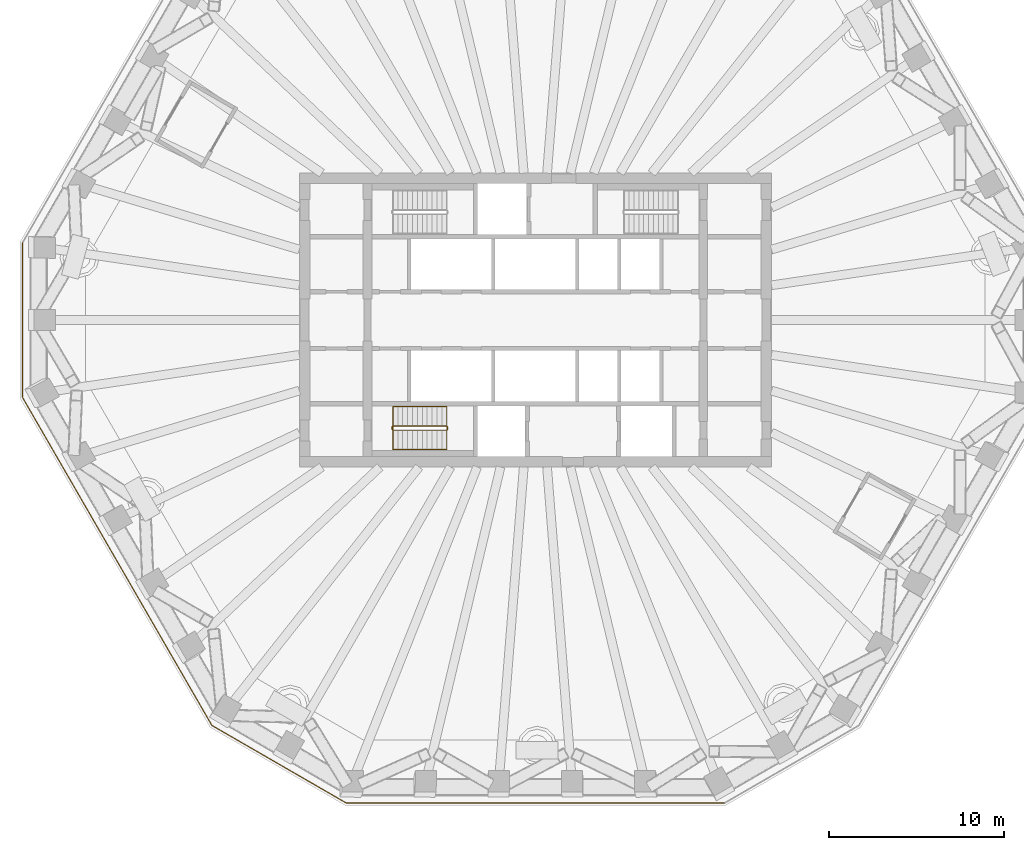
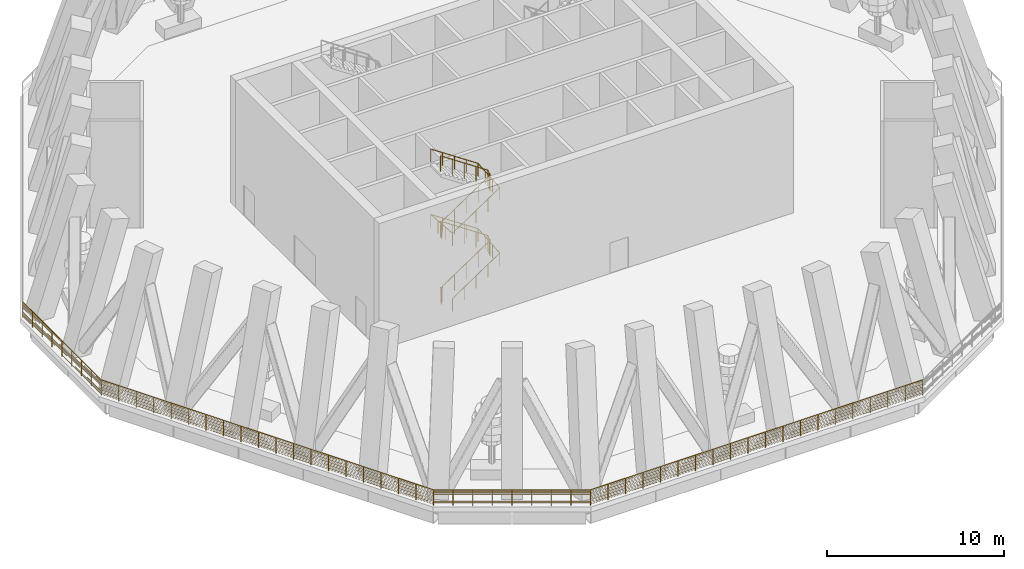
# One storey, part 7 of 11: 6 railings.
"""IFC4 building model written with IfcOpenShell, lengths in metres."""

from ifc_helpers import new_model, si_unit, direction, frame, origin, origin_2d, place, context, subcontext, project, spatial, circle, extrude, material, type_object, element, save


model = new_model("IFC4")

# Units and contexts
model_context = context("Model", 3, precision=1e-05, world=origin(), true_north=direction((0.0, 1.0)))
body_context = subcontext(model_context, "Body", "Model", "MODEL_VIEW")
ifc_project = project(units=[si_unit("LENGTHUNIT", "METRE"), si_unit("AREAUNIT", "SQUARE_METRE"), si_unit("VOLUMEUNIT", "CUBIC_METRE"), si_unit("PLANEANGLEUNIT", "RADIAN"), si_unit("MASSUNIT", "GRAM", prefix="KILO")], contexts=[model_context])

# Site, building, storey
site_placement = place(None, origin())
site = spatial("IfcSite", under=ifc_project, at=site_placement, CompositionType="ELEMENT")
building_placement = place(site_placement, origin())
building = spatial("IfcBuilding", under=site, at=building_placement, Name="Frailejon Research Tower", CompositionType="ELEMENT")
storey_placement = place(building_placement, frame((0.0, 0.0, 202.39990234375)))
storey = spatial("IfcBuildingStorey", under=building, at=storey_placement, Name="L44", CompositionType="ELEMENT", Elevation=202.39990234375)

# Railings
ifc_material_1 = material(Name="Stainless steel", Category="steel")
railing_type_1 = type_object("IfcRailingType", Name="Stair guard 1100", PredefinedType="GUARDRAIL", material=ifc_material_1)
railing_1_placement = place(storey_placement, frame((-8.199951171875, -6.10009765625, 0.0)))
element("IfcRailing", 1, at=railing_1_placement, inside=storey, type_object=railing_type_1, Name="L44 ST2 stair guard 1", PredefinedType="GUARDRAIL", context=body_context, shape_type="SweptSolid", body=[
    extrude(circle(Radius=0.02392578125, at=origin_2d()), frame((0.0, 0.0, 1.076171875), z_axis=(0.0, -1.0, 0.0), x_axis=(1.0, 0.0, 0.0)), (0.0, 0.0, 1.0), 0.14990234375),
    extrude(circle(Radius=0.02392578125, at=origin_2d()), frame((0.0, -0.14990234375, 1.076171875), z_axis=(0.249726431254, -0.249726431254, 0.935560483917), x_axis=(0.707106781187, 0.707106781187, 0.0)), (0.0, 0.0, 1.0), 0.200439453125),
    extrude(circle(Radius=0.02392578125, at=origin_2d()), frame((0.050048828125, -0.199951171875, 1.263671875), z_axis=(0.830893310487, 0.0, 0.556431762742), x_axis=(0.0, 1.0, 0.0)), (0.0, 0.0, 1.0), 3.70654296875),
    extrude(circle(Radius=0.02392578125, at=origin_2d()), frame((3.1298828125, -0.199951171875, 3.326171875), z_axis=(0.707106781187, 0.707106781187, 0.0), x_axis=(-0.707106781187, 0.707106781187, 0.0)), (0.0, 0.0, 1.0), 0.07080078125),
    extrude(circle(Radius=0.02392578125, at=origin_2d()), frame((3.179931640625, -0.14990234375, 3.326171875), z_axis=(0.0, 1.0, 0.0), x_axis=(-1.0, 0.0, 0.0)), (0.0, 0.0, 1.0), 0.14990234375),
    extrude(circle(Radius=0.02392578125, at=origin_2d()), frame((3.179931640625, 0.0, 3.326171875), z_axis=(-0.249726431254, 0.249726431254, 0.935560483917), x_axis=(-0.707106781187, -0.707106781187, 0.0)), (0.0, 0.0, 1.0), 0.200439453125),
    extrude(circle(Radius=0.02392578125, at=origin_2d()), frame((3.1298828125, 0.050048828125, 3.513671875), z_axis=(-0.830893310487, 0.0, 0.556431762742), x_axis=(0.0, -1.0, 0.0)), (0.0, 0.0, 1.0), 3.70654296875),
    extrude(circle(Radius=0.02392578125, at=origin_2d()), frame((0.050048828125, 0.050048828125, 5.576171875), z_axis=(-0.707106781187, -0.707106781187, 0.0), x_axis=(0.707106781187, -0.707106781187, 0.0)), (0.0, 0.0, 1.0), 0.07080078125),
    extrude(circle(Radius=0.02392578125, at=origin_2d()), frame((0.0, 0.0, 5.576171875), z_axis=(0.0, -1.0, 0.0), x_axis=(1.0, 0.0, 0.0)), (0.0, 0.0, 1.0), 0.14990234375),
    extrude(circle(Radius=0.02392578125, at=origin_2d()), frame((0.0, -0.14990234375, 5.576171875), z_axis=(0.249726431254, -0.249726431254, 0.935560483917), x_axis=(0.707106781187, 0.707106781187, 0.0)), (0.0, 0.0, 1.0), 0.200439453125),
    extrude(circle(Radius=0.02392578125, at=origin_2d()), frame((0.050048828125, -0.199951171875, 5.763671875), z_axis=(0.830893310487, 0.0, 0.556431762742), x_axis=(0.0, 1.0, 0.0)), (0.0, 0.0, 1.0), 3.70654296875),
    extrude(circle(Radius=0.02392578125, at=origin_2d()), frame((3.1298828125, -0.199951171875, 7.826171875), z_axis=(0.707106781187, 0.707106781187, 0.0), x_axis=(-0.707106781187, 0.707106781187, 0.0)), (0.0, 0.0, 1.0), 0.07080078125),
    extrude(circle(Radius=0.02392578125, at=origin_2d()), frame((3.179931640625, -0.14990234375, 7.826171875), z_axis=(0.0, 1.0, 0.0), x_axis=(-1.0, 0.0, 0.0)), (0.0, 0.0, 1.0), 0.14990234375),
    extrude(circle(Radius=0.02392578125, at=origin_2d()), frame((3.179931640625, 0.0, 7.826171875), z_axis=(-0.249726431254, 0.249726431254, 0.935560483917), x_axis=(-0.707106781187, -0.707106781187, 0.0)), (0.0, 0.0, 1.0), 0.200439453125),
    extrude(circle(Radius=0.02392578125, at=origin_2d()), frame((3.1298828125, 0.050048828125, 8.013671875), z_axis=(-0.830893310487, 0.0, 0.556431762742), x_axis=(0.0, -1.0, 0.0)), (0.0, 0.0, 1.0), 3.70654296875),
    extrude(circle(Radius=0.02099609375, at=origin_2d()), origin(), (0.0, 0.0, 1.0), 1.052001953125),
    extrude(circle(Radius=0.02099609375, at=origin_2d()), frame((0.0, -0.14990234375, 0.0)), (0.0, 0.0, 1.0), 1.052001953125),
    extrude(circle(Radius=0.02099609375, at=origin_2d()), frame((0.050048828125, -0.199951171875, 0.1875)), (0.0, 0.0, 1.0), 1.052001953125),
    extrude(circle(Radius=0.02099609375, at=origin_2d()), frame((0.820068359375, -0.199951171875, 0.703125)), (0.0, 0.0, 1.0), 1.052001953125),
    extrude(circle(Radius=0.02099609375, at=origin_2d()), frame((1.58984375, -0.199951171875, 1.21875)), (0.0, 0.0, 1.0), 1.052001953125),
    extrude(circle(Radius=0.02099609375, at=origin_2d()), frame((2.35986328125, -0.199951171875, 1.734375)), (0.0, 0.0, 1.0), 1.052001953125),
    extrude(circle(Radius=0.02099609375, at=origin_2d()), frame((3.1298828125, -0.199951171875, 2.25)), (0.0, 0.0, 1.0), 1.052001953125),
    extrude(circle(Radius=0.02099609375, at=origin_2d()), frame((3.179931640625, -0.14990234375, 2.25)), (0.0, 0.0, 1.0), 1.052001953125),
    extrude(circle(Radius=0.02099609375, at=origin_2d()), frame((3.179931640625, 0.0, 2.25)), (0.0, 0.0, 1.0), 1.052001953125),
    extrude(circle(Radius=0.02099609375, at=origin_2d()), frame((3.1298828125, 0.050048828125, 2.4375)), (0.0, 0.0, 1.0), 1.052001953125),
    extrude(circle(Radius=0.02099609375, at=origin_2d()), frame((2.35986328125, 0.050048828125, 2.953125)), (0.0, 0.0, 1.0), 1.052001953125),
    extrude(circle(Radius=0.02099609375, at=origin_2d()), frame((1.58984375, 0.050048828125, 3.46875)), (0.0, 0.0, 1.0), 1.052001953125),
    extrude(circle(Radius=0.02099609375, at=origin_2d()), frame((0.820068359375, 0.050048828125, 3.984375)), (0.0, 0.0, 1.0), 1.052001953125),
    extrude(circle(Radius=0.02099609375, at=origin_2d()), frame((0.050048828125, 0.050048828125, 4.5)), (0.0, 0.0, 1.0), 1.052001953125),
    extrude(circle(Radius=0.02099609375, at=origin_2d()), frame((0.0, 0.0, 4.5)), (0.0, 0.0, 1.0), 1.052001953125),
    extrude(circle(Radius=0.02099609375, at=origin_2d()), frame((0.0, -0.14990234375, 4.5)), (0.0, 0.0, 1.0), 1.052001953125),
    extrude(circle(Radius=0.02099609375, at=origin_2d()), frame((0.050048828125, -0.199951171875, 4.6875)), (0.0, 0.0, 1.0), 1.052001953125),
    extrude(circle(Radius=0.02099609375, at=origin_2d()), frame((0.820068359375, -0.199951171875, 5.203125)), (0.0, 0.0, 1.0), 1.052001953125),
    extrude(circle(Radius=0.02099609375, at=origin_2d()), frame((1.58984375, -0.199951171875, 5.71875)), (0.0, 0.0, 1.0), 1.052001953125),
    extrude(circle(Radius=0.02099609375, at=origin_2d()), frame((2.35986328125, -0.199951171875, 6.234375)), (0.0, 0.0, 1.0), 1.052001953125),
    extrude(circle(Radius=0.02099609375, at=origin_2d()), frame((3.1298828125, -0.199951171875, 6.75)), (0.0, 0.0, 1.0), 1.052001953125),
    extrude(circle(Radius=0.02099609375, at=origin_2d()), frame((3.179931640625, -0.14990234375, 6.75)), (0.0, 0.0, 1.0), 1.052001953125),
    extrude(circle(Radius=0.02099609375, at=origin_2d()), frame((3.179931640625, 0.0, 6.75)), (0.0, 0.0, 1.0), 1.052001953125),
    extrude(circle(Radius=0.02099609375, at=origin_2d()), frame((3.1298828125, 0.050048828125, 6.9375)), (0.0, 0.0, 1.0), 1.052001953125),
    extrude(circle(Radius=0.02099609375, at=origin_2d()), frame((2.35986328125, 0.050048828125, 7.453125)), (0.0, 0.0, 1.0), 1.052001953125),
    extrude(circle(Radius=0.02099609375, at=origin_2d()), frame((1.58984375, 0.050048828125, 7.96875)), (0.0, 0.0, 1.0), 1.052001953125),
    extrude(circle(Radius=0.02099609375, at=origin_2d()), frame((0.820068359375, 0.050048828125, 8.484375)), (0.0, 0.0, 1.0), 1.052001953125),
    extrude(circle(Radius=0.02099609375, at=origin_2d()), frame((0.050048828125, 0.050048828125, 9.0)), (0.0, 0.0, 1.0), 1.052001953125),
])
ifc_material_2 = material(Name="Stainless steel", Category="steel")
railing_type_2 = type_object("IfcRailingType", Name="Stair handrail 900", PredefinedType="HANDRAIL", material=ifc_material_2)
railing_2_placement = place(storey_placement, frame((-8.14990234375, -7.39990234375, 0.1875)))
element("IfcRailing", 2, at=railing_2_placement, inside=storey, type_object=railing_type_2, Name="L44 ST2 stair handrail 1", PredefinedType="HANDRAIL", context=body_context, shape_type="SweptSolid", body=[
    extrude(circle(Radius=0.02392578125, at=origin_2d()), frame((0.0, 0.0, 0.8759765625), z_axis=(0.830893310487, 0.0, 0.556431762742), x_axis=(0.0, 1.0, 0.0)), (0.0, 0.0, 1.0), 3.70654296875),
    extrude(circle(Radius=0.02392578125, at=origin_2d()), frame((3.079833984375, 0.0, 2.9384765625), z_axis=(0.0, 0.997084218397, 0.07630898652), x_axis=(-1.0, 0.0, 0.0)), (0.0, 0.0, 1.0), 2.45703125),
    extrude(circle(Radius=0.02392578125, at=origin_2d()), frame((3.079833984375, 2.449951171875, 3.1259765625), z_axis=(-0.830893310487, 0.0, 0.556431762742), x_axis=(0.0, -1.0, 0.0)), (0.0, 0.0, 1.0), 3.70654296875),
    extrude(circle(Radius=0.02392578125, at=origin_2d()), frame((0.0, 2.449951171875, 5.1884765625), z_axis=(0.0, -0.997084218397, 0.07630898652), x_axis=(1.0, 0.0, 0.0)), (0.0, 0.0, 1.0), 2.45703125),
    extrude(circle(Radius=0.02392578125, at=origin_2d()), frame((0.0, 0.0, 5.3759765625), z_axis=(0.830893310487, 0.0, 0.556431762742), x_axis=(0.0, 1.0, 0.0)), (0.0, 0.0, 1.0), 3.70654296875),
    extrude(circle(Radius=0.02392578125, at=origin_2d()), frame((3.079833984375, 0.0, 7.4384765625), z_axis=(0.0, 0.997084218397, 0.07630898652), x_axis=(-1.0, 0.0, 0.0)), (0.0, 0.0, 1.0), 2.45703125),
    extrude(circle(Radius=0.02392578125, at=origin_2d()), frame((3.079833984375, 2.449951171875, 7.6259765625), z_axis=(-0.830893310487, 0.0, 0.556431762742), x_axis=(0.0, -1.0, 0.0)), (0.0, 0.0, 1.0), 3.70654296875),
    extrude(circle(Radius=0.02099609375, at=origin_2d()), origin(), (0.0, 0.0, 1.0), 0.851806640625),
    extrude(circle(Radius=0.02099609375, at=origin_2d()), frame((0.77001953125, 0.0, 0.515625)), (0.0, 0.0, 1.0), 0.851806640625),
    extrude(circle(Radius=0.02099609375, at=origin_2d()), frame((1.5400390625, 0.0, 1.03125)), (0.0, 0.0, 1.0), 0.851806640625),
    extrude(circle(Radius=0.02099609375, at=origin_2d()), frame((2.309814453125, 0.0, 1.546875)), (0.0, 0.0, 1.0), 0.851806640625),
    extrude(circle(Radius=0.02099609375, at=origin_2d()), frame((3.079833984375, 0.0, 2.0625)), (0.0, 0.0, 1.0), 0.851806640625),
    extrude(circle(Radius=0.02099609375, at=origin_2d()), frame((3.079833984375, 0.816650390625, 2.125)), (0.0, 0.0, 1.0), 0.851806640625),
    extrude(circle(Radius=0.02099609375, at=origin_2d()), frame((3.079833984375, 1.63330078125, 2.1875)), (0.0, 0.0, 1.0), 0.851806640625),
    extrude(circle(Radius=0.02099609375, at=origin_2d()), frame((3.079833984375, 2.449951171875, 2.25)), (0.0, 0.0, 1.0), 0.851806640625),
    extrude(circle(Radius=0.02099609375, at=origin_2d()), frame((2.309814453125, 2.449951171875, 2.765625)), (0.0, 0.0, 1.0), 0.851806640625),
    extrude(circle(Radius=0.02099609375, at=origin_2d()), frame((1.5400390625, 2.449951171875, 3.28125)), (0.0, 0.0, 1.0), 0.851806640625),
    extrude(circle(Radius=0.02099609375, at=origin_2d()), frame((0.77001953125, 2.449951171875, 3.796875)), (0.0, 0.0, 1.0), 0.851806640625),
    extrude(circle(Radius=0.02099609375, at=origin_2d()), frame((0.0, 2.449951171875, 4.3125)), (0.0, 0.0, 1.0), 0.851806640625),
    extrude(circle(Radius=0.02099609375, at=origin_2d()), frame((0.0, 1.63330078125, 4.375)), (0.0, 0.0, 1.0), 0.851806640625),
    extrude(circle(Radius=0.02099609375, at=origin_2d()), frame((0.0, 0.816650390625, 4.4375)), (0.0, 0.0, 1.0), 0.851806640625),
    extrude(circle(Radius=0.02099609375, at=origin_2d()), frame((0.0, 0.0, 4.5)), (0.0, 0.0, 1.0), 0.851806640625),
    extrude(circle(Radius=0.02099609375, at=origin_2d()), frame((0.77001953125, 0.0, 5.015625)), (0.0, 0.0, 1.0), 0.851806640625),
    extrude(circle(Radius=0.02099609375, at=origin_2d()), frame((1.5400390625, 0.0, 5.53125)), (0.0, 0.0, 1.0), 0.851806640625),
    extrude(circle(Radius=0.02099609375, at=origin_2d()), frame((2.309814453125, 0.0, 6.046875)), (0.0, 0.0, 1.0), 0.851806640625),
    extrude(circle(Radius=0.02099609375, at=origin_2d()), frame((3.079833984375, 0.0, 6.5625)), (0.0, 0.0, 1.0), 0.851806640625),
    extrude(circle(Radius=0.02099609375, at=origin_2d()), frame((3.079833984375, 0.816650390625, 6.625)), (0.0, 0.0, 1.0), 0.851806640625),
    extrude(circle(Radius=0.02099609375, at=origin_2d()), frame((3.079833984375, 1.63330078125, 6.6875)), (0.0, 0.0, 1.0), 0.851806640625),
    extrude(circle(Radius=0.02099609375, at=origin_2d()), frame((3.079833984375, 2.449951171875, 6.75)), (0.0, 0.0, 1.0), 0.851806640625),
    extrude(circle(Radius=0.02099609375, at=origin_2d()), frame((2.309814453125, 2.449951171875, 7.265625)), (0.0, 0.0, 1.0), 0.851806640625),
    extrude(circle(Radius=0.02099609375, at=origin_2d()), frame((1.5400390625, 2.449951171875, 7.78125)), (0.0, 0.0, 1.0), 0.851806640625),
    extrude(circle(Radius=0.02099609375, at=origin_2d()), frame((0.77001953125, 2.449951171875, 8.296875)), (0.0, 0.0, 1.0), 0.851806640625),
    extrude(circle(Radius=0.02099609375, at=origin_2d()), frame((0.0, 2.449951171875, 8.8125)), (0.0, 0.0, 1.0), 0.851806640625),
])
ifc_material_3 = material(Name="Stainless steel posts, rail and cable infill", Category="steel")
railing_type_3 = type_object("IfcRailingType", Name="Terrace rail guard 1100", PredefinedType="GUARDRAIL", material=ifc_material_3)
railing_3_placement = place(storey_placement, frame((-29.321533203125, 4.430908203125, 0.0)))
element("IfcRailing", 3, at=railing_3_placement, inside=storey, type_object=railing_type_3, Name="Wind floor terrace guard L44 7", PredefinedType="GUARDRAIL", context=body_context, shape_type="SweptSolid", body=[
    extrude(circle(Radius=0.02392578125, at=origin_2d()), frame((0.0, 0.0, 1.080078125), z_axis=(0.0, -1.0, 0.0), x_axis=(1.0, 0.0, 0.0)), (0.0, 0.0, 1.0), 8.86181640625),
    extrude(circle(Radius=0.005859375, at=origin_2d()), frame((0.0, 0.0, 0.097900390625), z_axis=(0.0, -1.0, 0.0), x_axis=(1.0, 0.0, 0.0)), (0.0, 0.0, 1.0), 8.86181640625),
    extrude(circle(Radius=0.005859375, at=origin_2d()), frame((0.0, 0.0, 0.195556640625), z_axis=(0.0, -1.0, 0.0), x_axis=(1.0, 0.0, 0.0)), (0.0, 0.0, 1.0), 8.86181640625),
    extrude(circle(Radius=0.005859375, at=origin_2d()), frame((0.0, 0.0, 0.29345703125), z_axis=(0.0, -1.0, 0.0), x_axis=(1.0, 0.0, 0.0)), (0.0, 0.0, 1.0), 8.86181640625),
    extrude(circle(Radius=0.005859375, at=origin_2d()), frame((0.0, 0.0, 0.391357421875), z_axis=(0.0, -1.0, 0.0), x_axis=(1.0, 0.0, 0.0)), (0.0, 0.0, 1.0), 8.86181640625),
    extrude(circle(Radius=0.005859375, at=origin_2d()), frame((0.0, 0.0, 0.489013671875), z_axis=(0.0, -1.0, 0.0), x_axis=(1.0, 0.0, 0.0)), (0.0, 0.0, 1.0), 8.86181640625),
    extrude(circle(Radius=0.005859375, at=origin_2d()), frame((0.0, 0.0, 0.5869140625), z_axis=(0.0, -1.0, 0.0), x_axis=(1.0, 0.0, 0.0)), (0.0, 0.0, 1.0), 8.86181640625),
    extrude(circle(Radius=0.005859375, at=origin_2d()), frame((0.0, 0.0, 0.684814453125), z_axis=(0.0, -1.0, 0.0), x_axis=(1.0, 0.0, 0.0)), (0.0, 0.0, 1.0), 8.86181640625),
    extrude(circle(Radius=0.005859375, at=origin_2d()), frame((0.0, 0.0, 0.782470703125), z_axis=(0.0, -1.0, 0.0), x_axis=(1.0, 0.0, 0.0)), (0.0, 0.0, 1.0), 8.86181640625),
    extrude(circle(Radius=0.005859375, at=origin_2d()), frame((0.0, 0.0, 0.88037109375), z_axis=(0.0, -1.0, 0.0), x_axis=(1.0, 0.0, 0.0)), (0.0, 0.0, 1.0), 8.86181640625),
    extrude(circle(Radius=0.005859375, at=origin_2d()), frame((0.0, 0.0, 0.978271484375), z_axis=(0.0, -1.0, 0.0), x_axis=(1.0, 0.0, 0.0)), (0.0, 0.0, 1.0), 8.86181640625),
    extrude(circle(Radius=0.02099609375, at=origin_2d()), origin(), (0.0, 0.0, 1.0), 1.052001953125),
    extrude(circle(Radius=0.02099609375, at=origin_2d()), frame((0.0, -1.107666015625, 0.0)), (0.0, 0.0, 1.0), 1.052001953125),
    extrude(circle(Radius=0.02099609375, at=origin_2d()), frame((0.0, -2.21533203125, 0.0)), (0.0, 0.0, 1.0), 1.052001953125),
    extrude(circle(Radius=0.02099609375, at=origin_2d()), frame((0.0, -3.3232421875, 0.0)), (0.0, 0.0, 1.0), 1.052001953125),
    extrude(circle(Radius=0.02099609375, at=origin_2d()), frame((0.0, -4.430908203125, 0.0)), (0.0, 0.0, 1.0), 1.052001953125),
    extrude(circle(Radius=0.02099609375, at=origin_2d()), frame((0.0, -5.53857421875, 0.0)), (0.0, 0.0, 1.0), 1.052001953125),
    extrude(circle(Radius=0.02099609375, at=origin_2d()), frame((0.0, -6.646484375, 0.0)), (0.0, 0.0, 1.0), 1.052001953125),
    extrude(circle(Radius=0.02099609375, at=origin_2d()), frame((0.0, -7.754150390625, 0.0)), (0.0, 0.0, 1.0), 1.052001953125),
    extrude(circle(Radius=0.02099609375, at=origin_2d()), frame((0.0, -8.86181640625, 0.0)), (0.0, 0.0, 1.0), 1.052001953125),
])
railing_4_placement = place(storey_placement, frame((-29.321533203125, -4.430908203125, 0.0)))
element("IfcRailing", 4, at=railing_4_placement, inside=storey, type_object=railing_type_3, Name="Wind floor terrace guard L44 8", PredefinedType="GUARDRAIL", context=body_context, shape_type="SweptSolid", body=[
    extrude(circle(Radius=0.02392578125, at=origin_2d()), frame((0.0, 0.0, 1.080078125), z_axis=(0.500004924955, -0.866022560341, 0.0), x_axis=(0.866022560341, 0.500004924955, 0.0)), (0.0, 0.0, 1.0), 21.646728515625),
    extrude(circle(Radius=0.005859375, at=origin_2d()), frame((0.0, 0.0, 0.097900390625), z_axis=(0.500004924955, -0.866022560341, 0.0), x_axis=(0.866022560341, 0.500004924955, 0.0)), (0.0, 0.0, 1.0), 21.646728515625),
    extrude(circle(Radius=0.005859375, at=origin_2d()), frame((0.0, 0.0, 0.195556640625), z_axis=(0.500004924955, -0.866022560341, 0.0), x_axis=(0.866022560341, 0.500004924955, 0.0)), (0.0, 0.0, 1.0), 21.646728515625),
    extrude(circle(Radius=0.005859375, at=origin_2d()), frame((0.0, 0.0, 0.29345703125), z_axis=(0.500004924955, -0.866022560341, 0.0), x_axis=(0.866022560341, 0.500004924955, 0.0)), (0.0, 0.0, 1.0), 21.646728515625),
    extrude(circle(Radius=0.005859375, at=origin_2d()), frame((0.0, 0.0, 0.391357421875), z_axis=(0.500004924955, -0.866022560341, 0.0), x_axis=(0.866022560341, 0.500004924955, 0.0)), (0.0, 0.0, 1.0), 21.646728515625),
    extrude(circle(Radius=0.005859375, at=origin_2d()), frame((0.0, 0.0, 0.489013671875), z_axis=(0.500004924955, -0.866022560341, 0.0), x_axis=(0.866022560341, 0.500004924955, 0.0)), (0.0, 0.0, 1.0), 21.646728515625),
    extrude(circle(Radius=0.005859375, at=origin_2d()), frame((0.0, 0.0, 0.5869140625), z_axis=(0.500004924955, -0.866022560341, 0.0), x_axis=(0.866022560341, 0.500004924955, 0.0)), (0.0, 0.0, 1.0), 21.646728515625),
    extrude(circle(Radius=0.005859375, at=origin_2d()), frame((0.0, 0.0, 0.684814453125), z_axis=(0.500004924955, -0.866022560341, 0.0), x_axis=(0.866022560341, 0.500004924955, 0.0)), (0.0, 0.0, 1.0), 21.646728515625),
    extrude(circle(Radius=0.005859375, at=origin_2d()), frame((0.0, 0.0, 0.782470703125), z_axis=(0.500004924955, -0.866022560341, 0.0), x_axis=(0.866022560341, 0.500004924955, 0.0)), (0.0, 0.0, 1.0), 21.646728515625),
    extrude(circle(Radius=0.005859375, at=origin_2d()), frame((0.0, 0.0, 0.88037109375), z_axis=(0.500004924955, -0.866022560341, 0.0), x_axis=(0.866022560341, 0.500004924955, 0.0)), (0.0, 0.0, 1.0), 21.646728515625),
    extrude(circle(Radius=0.005859375, at=origin_2d()), frame((0.0, 0.0, 0.978271484375), z_axis=(0.500004924955, -0.866022560341, 0.0), x_axis=(0.866022560341, 0.500004924955, 0.0)), (0.0, 0.0, 1.0), 21.646728515625),
    extrude(circle(Radius=0.02099609375, at=origin_2d()), origin(), (0.0, 0.0, 1.0), 1.052001953125),
    extrude(circle(Radius=0.02099609375, at=origin_2d()), frame((0.569580078125, -0.986572265625, 0.0)), (0.0, 0.0, 1.0), 1.052001953125),
    extrude(circle(Radius=0.02099609375, at=origin_2d()), frame((1.139404296875, -1.973388671875, 0.0)), (0.0, 0.0, 1.0), 1.052001953125),
    extrude(circle(Radius=0.02099609375, at=origin_2d()), frame((1.708984375, -2.9599609375, 0.0)), (0.0, 0.0, 1.0), 1.052001953125),
    extrude(circle(Radius=0.02099609375, at=origin_2d()), frame((2.278564453125, -3.946533203125, 0.0)), (0.0, 0.0, 1.0), 1.052001953125),
    extrude(circle(Radius=0.02099609375, at=origin_2d()), frame((2.848388671875, -4.933349609375, 0.0)), (0.0, 0.0, 1.0), 1.052001953125),
    extrude(circle(Radius=0.02099609375, at=origin_2d()), frame((3.41796875, -5.919921875, 0.0)), (0.0, 0.0, 1.0), 1.052001953125),
    extrude(circle(Radius=0.02099609375, at=origin_2d()), frame((3.987548828125, -6.90673828125, 0.0)), (0.0, 0.0, 1.0), 1.052001953125),
    extrude(circle(Radius=0.02099609375, at=origin_2d()), frame((4.557373046875, -7.893310546875, 0.0)), (0.0, 0.0, 1.0), 1.052001953125),
    extrude(circle(Radius=0.02099609375, at=origin_2d()), frame((5.126953125, -8.8798828125, 0.0)), (0.0, 0.0, 1.0), 1.052001953125),
    extrude(circle(Radius=0.02099609375, at=origin_2d()), frame((5.696533203125, -9.86669921875, 0.0)), (0.0, 0.0, 1.0), 1.052001953125),
    extrude(circle(Radius=0.02099609375, at=origin_2d()), frame((6.26611328125, -10.853271484375, 0.0)), (0.0, 0.0, 1.0), 1.052001953125),
    extrude(circle(Radius=0.02099609375, at=origin_2d()), frame((6.8359375, -11.83984375, 0.0)), (0.0, 0.0, 1.0), 1.052001953125),
    extrude(circle(Radius=0.02099609375, at=origin_2d()), frame((7.405517578125, -12.82666015625, 0.0)), (0.0, 0.0, 1.0), 1.052001953125),
    extrude(circle(Radius=0.02099609375, at=origin_2d()), frame((7.97509765625, -13.813232421875, 0.0)), (0.0, 0.0, 1.0), 1.052001953125),
    extrude(circle(Radius=0.02099609375, at=origin_2d()), frame((8.544921875, -14.800048828125, 0.0)), (0.0, 0.0, 1.0), 1.052001953125),
    extrude(circle(Radius=0.02099609375, at=origin_2d()), frame((9.114501953125, -15.78662109375, 0.0)), (0.0, 0.0, 1.0), 1.052001953125),
    extrude(circle(Radius=0.02099609375, at=origin_2d()), frame((9.68408203125, -16.773193359375, 0.0)), (0.0, 0.0, 1.0), 1.052001953125),
    extrude(circle(Radius=0.02099609375, at=origin_2d()), frame((10.25390625, -17.760009765625, 0.0)), (0.0, 0.0, 1.0), 1.052001953125),
    extrude(circle(Radius=0.02099609375, at=origin_2d()), frame((10.823486328125, -18.74658203125, 0.0)), (0.0, 0.0, 1.0), 1.052001953125),
])
railing_5_placement = place(storey_placement, frame((-18.498046875, -23.177490234375, 0.0)))
element("IfcRailing", 5, at=railing_5_placement, inside=storey, type_object=railing_type_3, Name="Wind floor terrace guard L44 9", PredefinedType="GUARDRAIL", context=body_context, shape_type="SweptSolid", body=[
    extrude(circle(Radius=0.02392578125, at=origin_2d()), frame((0.0, 0.0, 1.080078125), z_axis=(0.86602043012, -0.50000861454, 0.0), x_axis=(0.50000861454, 0.86602043012, 0.0)), (0.0, 0.0, 1.0), 8.862060546875),
    extrude(circle(Radius=0.005859375, at=origin_2d()), frame((0.0, 0.0, 0.097900390625), z_axis=(0.86602043012, -0.50000861454, 0.0), x_axis=(0.50000861454, 0.86602043012, 0.0)), (0.0, 0.0, 1.0), 8.862060546875),
    extrude(circle(Radius=0.005859375, at=origin_2d()), frame((0.0, 0.0, 0.195556640625), z_axis=(0.86602043012, -0.50000861454, 0.0), x_axis=(0.50000861454, 0.86602043012, 0.0)), (0.0, 0.0, 1.0), 8.862060546875),
    extrude(circle(Radius=0.005859375, at=origin_2d()), frame((0.0, 0.0, 0.29345703125), z_axis=(0.86602043012, -0.50000861454, 0.0), x_axis=(0.50000861454, 0.86602043012, 0.0)), (0.0, 0.0, 1.0), 8.862060546875),
    extrude(circle(Radius=0.005859375, at=origin_2d()), frame((0.0, 0.0, 0.391357421875), z_axis=(0.86602043012, -0.50000861454, 0.0), x_axis=(0.50000861454, 0.86602043012, 0.0)), (0.0, 0.0, 1.0), 8.862060546875),
    extrude(circle(Radius=0.005859375, at=origin_2d()), frame((0.0, 0.0, 0.489013671875), z_axis=(0.86602043012, -0.50000861454, 0.0), x_axis=(0.50000861454, 0.86602043012, 0.0)), (0.0, 0.0, 1.0), 8.862060546875),
    extrude(circle(Radius=0.005859375, at=origin_2d()), frame((0.0, 0.0, 0.5869140625), z_axis=(0.86602043012, -0.50000861454, 0.0), x_axis=(0.50000861454, 0.86602043012, 0.0)), (0.0, 0.0, 1.0), 8.862060546875),
    extrude(circle(Radius=0.005859375, at=origin_2d()), frame((0.0, 0.0, 0.684814453125), z_axis=(0.86602043012, -0.50000861454, 0.0), x_axis=(0.50000861454, 0.86602043012, 0.0)), (0.0, 0.0, 1.0), 8.862060546875),
    extrude(circle(Radius=0.005859375, at=origin_2d()), frame((0.0, 0.0, 0.782470703125), z_axis=(0.86602043012, -0.50000861454, 0.0), x_axis=(0.50000861454, 0.86602043012, 0.0)), (0.0, 0.0, 1.0), 8.862060546875),
    extrude(circle(Radius=0.005859375, at=origin_2d()), frame((0.0, 0.0, 0.88037109375), z_axis=(0.86602043012, -0.50000861454, 0.0), x_axis=(0.50000861454, 0.86602043012, 0.0)), (0.0, 0.0, 1.0), 8.862060546875),
    extrude(circle(Radius=0.005859375, at=origin_2d()), frame((0.0, 0.0, 0.978271484375), z_axis=(0.86602043012, -0.50000861454, 0.0), x_axis=(0.50000861454, 0.86602043012, 0.0)), (0.0, 0.0, 1.0), 8.862060546875),
    extrude(circle(Radius=0.02099609375, at=origin_2d()), origin(), (0.0, 0.0, 1.0), 1.052001953125),
    extrude(circle(Radius=0.02099609375, at=origin_2d()), frame((0.95947265625, -0.553955078125, 0.0)), (0.0, 0.0, 1.0), 1.052001953125),
    extrude(circle(Radius=0.02099609375, at=origin_2d()), frame((1.918701171875, -1.10791015625, 0.0)), (0.0, 0.0, 1.0), 1.052001953125),
    extrude(circle(Radius=0.02099609375, at=origin_2d()), frame((2.8779296875, -1.66162109375, 0.0)), (0.0, 0.0, 1.0), 1.052001953125),
    extrude(circle(Radius=0.02099609375, at=origin_2d()), frame((3.83740234375, -2.215576171875, 0.0)), (0.0, 0.0, 1.0), 1.052001953125),
    extrude(circle(Radius=0.02099609375, at=origin_2d()), frame((4.796875, -2.76953125, 0.0)), (0.0, 0.0, 1.0), 1.052001953125),
    extrude(circle(Radius=0.02099609375, at=origin_2d()), frame((5.756103515625, -3.3232421875, 0.0)), (0.0, 0.0, 1.0), 1.052001953125),
    extrude(circle(Radius=0.02099609375, at=origin_2d()), frame((6.71533203125, -3.877197265625, 0.0)), (0.0, 0.0, 1.0), 1.052001953125),
    extrude(circle(Radius=0.02099609375, at=origin_2d()), frame((7.6748046875, -4.43115234375, 0.0)), (0.0, 0.0, 1.0), 1.052001953125),
])
railing_6_placement = place(storey_placement, frame((-10.8232421875, -27.608642578125, 0.0)))
element("IfcRailing", 6, at=railing_6_placement, inside=storey, type_object=railing_type_3, Name="Wind floor terrace guard L44 10", PredefinedType="GUARDRAIL", context=body_context, shape_type="SweptSolid", body=[
    extrude(circle(Radius=0.02392578125, at=origin_2d()), frame((0.0, 0.0, 1.080078125), z_axis=(1.0, 0.0, 0.0), x_axis=(0.0, 1.0, 0.0)), (0.0, 0.0, 1.0), 21.646484375),
    extrude(circle(Radius=0.005859375, at=origin_2d()), frame((0.0, 0.0, 0.097900390625), z_axis=(1.0, 0.0, 0.0), x_axis=(0.0, 1.0, 0.0)), (0.0, 0.0, 1.0), 21.646484375),
    extrude(circle(Radius=0.005859375, at=origin_2d()), frame((0.0, 0.0, 0.195556640625), z_axis=(1.0, 0.0, 0.0), x_axis=(0.0, 1.0, 0.0)), (0.0, 0.0, 1.0), 21.646484375),
    extrude(circle(Radius=0.005859375, at=origin_2d()), frame((0.0, 0.0, 0.29345703125), z_axis=(1.0, 0.0, 0.0), x_axis=(0.0, 1.0, 0.0)), (0.0, 0.0, 1.0), 21.646484375),
    extrude(circle(Radius=0.005859375, at=origin_2d()), frame((0.0, 0.0, 0.391357421875), z_axis=(1.0, 0.0, 0.0), x_axis=(0.0, 1.0, 0.0)), (0.0, 0.0, 1.0), 21.646484375),
    extrude(circle(Radius=0.005859375, at=origin_2d()), frame((0.0, 0.0, 0.489013671875), z_axis=(1.0, 0.0, 0.0), x_axis=(0.0, 1.0, 0.0)), (0.0, 0.0, 1.0), 21.646484375),
    extrude(circle(Radius=0.005859375, at=origin_2d()), frame((0.0, 0.0, 0.5869140625), z_axis=(1.0, 0.0, 0.0), x_axis=(0.0, 1.0, 0.0)), (0.0, 0.0, 1.0), 21.646484375),
    extrude(circle(Radius=0.005859375, at=origin_2d()), frame((0.0, 0.0, 0.684814453125), z_axis=(1.0, 0.0, 0.0), x_axis=(0.0, 1.0, 0.0)), (0.0, 0.0, 1.0), 21.646484375),
    extrude(circle(Radius=0.005859375, at=origin_2d()), frame((0.0, 0.0, 0.782470703125), z_axis=(1.0, 0.0, 0.0), x_axis=(0.0, 1.0, 0.0)), (0.0, 0.0, 1.0), 21.646484375),
    extrude(circle(Radius=0.005859375, at=origin_2d()), frame((0.0, 0.0, 0.88037109375), z_axis=(1.0, 0.0, 0.0), x_axis=(0.0, 1.0, 0.0)), (0.0, 0.0, 1.0), 21.646484375),
    extrude(circle(Radius=0.005859375, at=origin_2d()), frame((0.0, 0.0, 0.978271484375), z_axis=(1.0, 0.0, 0.0), x_axis=(0.0, 1.0, 0.0)), (0.0, 0.0, 1.0), 21.646484375),
    extrude(circle(Radius=0.02099609375, at=origin_2d()), origin(), (0.0, 0.0, 1.0), 1.052001953125),
    extrude(circle(Radius=0.02099609375, at=origin_2d()), frame((1.139404296875, 0.0, 0.0)), (0.0, 0.0, 1.0), 1.052001953125),
    extrude(circle(Radius=0.02099609375, at=origin_2d()), frame((2.278564453125, 0.0, 0.0)), (0.0, 0.0, 1.0), 1.052001953125),
    extrude(circle(Radius=0.02099609375, at=origin_2d()), frame((3.41796875, 0.0, 0.0)), (0.0, 0.0, 1.0), 1.052001953125),
    extrude(circle(Radius=0.02099609375, at=origin_2d()), frame((4.55712890625, 0.0, 0.0)), (0.0, 0.0, 1.0), 1.052001953125),
    extrude(circle(Radius=0.02099609375, at=origin_2d()), frame((5.696533203125, 0.0, 0.0)), (0.0, 0.0, 1.0), 1.052001953125),
    extrude(circle(Radius=0.02099609375, at=origin_2d()), frame((6.835693359375, 0.0, 0.0)), (0.0, 0.0, 1.0), 1.052001953125),
    extrude(circle(Radius=0.02099609375, at=origin_2d()), frame((7.97509765625, 0.0, 0.0)), (0.0, 0.0, 1.0), 1.052001953125),
    extrude(circle(Radius=0.02099609375, at=origin_2d()), frame((9.1142578125, 0.0, 0.0)), (0.0, 0.0, 1.0), 1.052001953125),
    extrude(circle(Radius=0.02099609375, at=origin_2d()), frame((10.253662109375, 0.0, 0.0)), (0.0, 0.0, 1.0), 1.052001953125),
    extrude(circle(Radius=0.02099609375, at=origin_2d()), frame((11.392822265625, 0.0, 0.0)), (0.0, 0.0, 1.0), 1.052001953125),
    extrude(circle(Radius=0.02099609375, at=origin_2d()), frame((12.5322265625, 0.0, 0.0)), (0.0, 0.0, 1.0), 1.052001953125),
    extrude(circle(Radius=0.02099609375, at=origin_2d()), frame((13.67138671875, 0.0, 0.0)), (0.0, 0.0, 1.0), 1.052001953125),
    extrude(circle(Radius=0.02099609375, at=origin_2d()), frame((14.810791015625, 0.0, 0.0)), (0.0, 0.0, 1.0), 1.052001953125),
    extrude(circle(Radius=0.02099609375, at=origin_2d()), frame((15.949951171875, 0.0, 0.0)), (0.0, 0.0, 1.0), 1.052001953125),
    extrude(circle(Radius=0.02099609375, at=origin_2d()), frame((17.08935546875, 0.0, 0.0)), (0.0, 0.0, 1.0), 1.052001953125),
    extrude(circle(Radius=0.02099609375, at=origin_2d()), frame((18.228515625, 0.0, 0.0)), (0.0, 0.0, 1.0), 1.052001953125),
    extrude(circle(Radius=0.02099609375, at=origin_2d()), frame((19.367919921875, 0.0, 0.0)), (0.0, 0.0, 1.0), 1.052001953125),
    extrude(circle(Radius=0.02099609375, at=origin_2d()), frame((20.507080078125, 0.0, 0.0)), (0.0, 0.0, 1.0), 1.052001953125),
    extrude(circle(Radius=0.02099609375, at=origin_2d()), frame((21.646484375, 0.0, 0.0)), (0.0, 0.0, 1.0), 1.052001953125),
])

save(model, "model.ifc")
